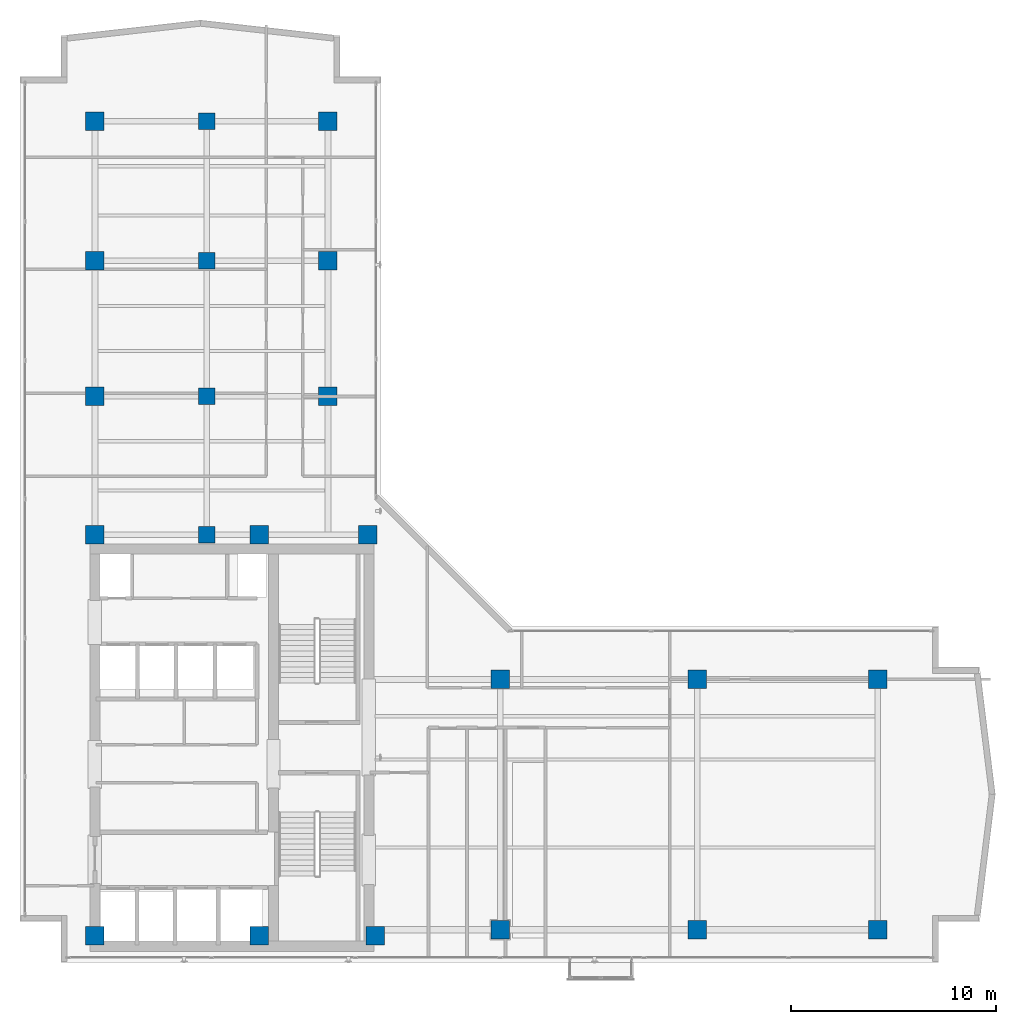
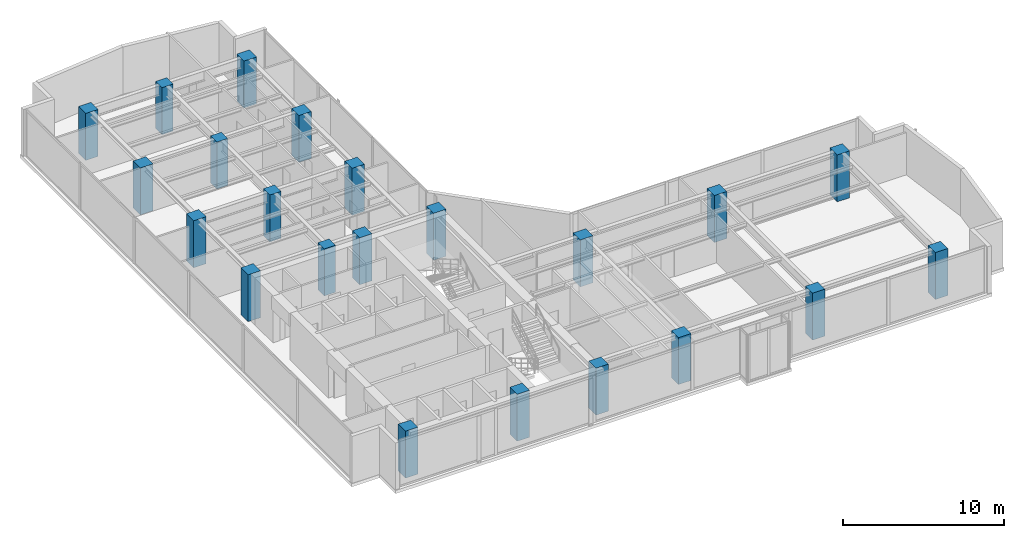
# One storey, part 1 of 22: 22 columns.
"""IFC4 building model written with IfcOpenShell, lengths in metres."""

from ifc_helpers import new_model, si_unit, direction, frame, origin, origin_2d, place, context, subcontext, project, spatial, rectangle, extrude, material, material_profile, profile_set, type_object, element, save


model = new_model("IFC4")

# Units and contexts
model_context = context("Model", 3, precision=1e-05, world=origin(), true_north=direction((0.0, 1.0)))
body_context = subcontext(model_context, "Body", "Model", "MODEL_VIEW")
ifc_project = project(units=[si_unit("LENGTHUNIT", "METRE"), si_unit("AREAUNIT", "SQUARE_METRE"), si_unit("VOLUMEUNIT", "CUBIC_METRE"), si_unit("PLANEANGLEUNIT", "RADIAN"), si_unit("MASSUNIT", "GRAM", prefix="KILO")], contexts=[model_context])

# Site, building, storey
site_placement = place(None, origin())
site = spatial("IfcSite", under=ifc_project, at=site_placement, CompositionType="ELEMENT")
building_placement = place(site_placement, origin())
building = spatial("IfcBuilding", under=site, at=building_placement, Name="Kolvaren Waterfront Exchange", CompositionType="ELEMENT")
storey_placement = place(building_placement, frame((0.0, 0.0, 266.60009765625)))
storey = spatial("IfcBuildingStorey", under=building, at=storey_placement, Name="L68", CompositionType="ELEMENT", Elevation=266.60009765625)

# Columns
ifc_material = material(Name="Concrete C50/60", Category="concrete")
ifc_material_profile_1 = material_profile(ifc_material, rectangle(XDim=0.800048828125, YDim=0.800048828125, at=origin_2d()), Name="RC-COL-800x800")
ifc_profile_set_1 = profile_set([ifc_material_profile_1], Name="Concrete C50/60")
column_type_1 = type_object("IfcColumnType", Name="STR-COL-800-C50", PredefinedType="COLUMN", material=ifc_profile_set_1)
for number, where, z_axis, x_axis, name in (
    (1, (12.89990234375, 24.449951171875, 0.0), (0.0, 0.0, 1.0), (1.0, 0.0, 0.0), "L68 column TC01"),
    (2, (12.89990234375, 31.199951171875, 0.0), (0.0, 0.0, 1.0), (1.0, 0.0, 0.0), "L68 column TC02"),
    (3, (12.89990234375, 37.800048828125, 0.0), (0.0, 0.0, 1.0), (1.0, 0.0, 0.0), "L68 column TC03"),
    (4, (12.89990234375, 44.60009765625, 0.0), (0.0, 0.0, 1.0), (1.0, 0.0, 0.0), "L68 column TC04"),
):
    element("IfcColumn", number, at=place(storey_placement, frame(where, z_axis=z_axis, x_axis=x_axis)), inside=storey, type_object=column_type_1, Name=name, PredefinedType="COLUMN", context=body_context, shape_type="SweptSolid", body=[
        extrude(rectangle(XDim=0.800048828125, YDim=0.800048828125, at=origin_2d()), origin(), (0.0, 0.0, 1.0), 3.559814453125),
    ])
ifc_material_profile_2 = material_profile(ifc_material, rectangle(XDim=0.89990234375, YDim=0.89990234375, at=origin_2d()), Name="RC-COL-900x900")
ifc_profile_set_2 = profile_set([ifc_material_profile_2], Name="Concrete C50/60")
column_type_2 = type_object("IfcColumnType", Name="STR-COL-900-C50", PredefinedType="COLUMN", material=ifc_profile_set_2)
for number, where, z_axis, x_axis, name in (
    (5, (7.449951171875, 4.89990234375, 0.0), (0.0, 0.0, 1.0), (1.0, 0.0, 0.0), "L68 column MC01"),
    (6, (15.449951171875, 4.89990234375, 0.0), (0.0, 0.0, 1.0), (1.0, 0.0, 0.0), "L68 column MC02"),
    (7, (21.10009765625, 4.89990234375, 0.0), (0.0, 0.0, 1.0), (1.0, 0.0, 0.0), "L68 column MC03"),
    (8, (7.449951171875, 24.449951171875, 0.0), (0.0, 0.0, 1.0), (1.0, 0.0, 0.0), "L68 column MC04"),
    (9, (15.449951171875, 24.449951171875, 0.0), (0.0, 0.0, 1.0), (1.0, 0.0, 0.0), "L68 column MC05"),
    (10, (20.75, 24.449951171875, 0.0), (0.0, 0.0, 1.0), (1.0, 0.0, 0.0), "L68 column MC06"),
    (11, (7.449951171875, 31.199951171875, 0.0), (0.0, 0.0, 1.0), (1.0, 0.0, 0.0), "L68 column NC01"),
    (12, (7.449951171875, 37.800048828125, 0.0), (0.0, 0.0, 1.0), (1.0, 0.0, 0.0), "L68 column NC02"),
    (13, (7.449951171875, 44.60009765625, 0.0), (0.0, 0.0, 1.0), (1.0, 0.0, 0.0), "L68 column NC03"),
    (14, (18.800048828125, 31.199951171875, 0.0), (0.0, 0.0, 1.0), (1.0, 0.0, 0.0), "L68 column NC04"),
    (15, (18.800048828125, 37.800048828125, 0.0), (0.0, 0.0, 1.0), (1.0, 0.0, 0.0), "L68 column NC05"),
    (16, (18.800048828125, 44.60009765625, 0.0), (0.0, 0.0, 1.0), (1.0, 0.0, 0.0), "L68 column NC06"),
    (17, (27.199951171875, 5.199951171875, 0.0), (0.0, 0.0, 1.0), (1.0, 0.0, 0.0), "L68 column EC01"),
    (18, (36.800048828125, 5.199951171875, 0.0), (0.0, 0.0, 1.0), (1.0, 0.0, 0.0), "L68 column EC02"),
    (19, (45.60009765625, 5.199951171875, 0.0), (0.0, 0.0, 1.0), (1.0, 0.0, 0.0), "L68 column EC03"),
    (20, (27.199951171875, 17.39990234375, 0.0), (0.0, 0.0, 1.0), (1.0, 0.0, 0.0), "L68 column EC04"),
    (21, (36.800048828125, 17.39990234375, 0.0), (0.0, 0.0, 1.0), (1.0, 0.0, 0.0), "L68 column EC05"),
    (22, (45.60009765625, 17.39990234375, 0.0), (0.0, 0.0, 1.0), (1.0, 0.0, 0.0), "L68 column EC06"),
):
    element("IfcColumn", number, at=place(storey_placement, frame(where, z_axis=z_axis, x_axis=x_axis)), inside=storey, type_object=column_type_2, Name=name, PredefinedType="COLUMN", context=body_context, shape_type="SweptSolid", body=[
        extrude(rectangle(XDim=0.89990234375, YDim=0.89990234375, at=origin_2d()), origin(), (0.0, 0.0, 1.0), 3.559814453125),
    ])

save(model, "model.ifc")
